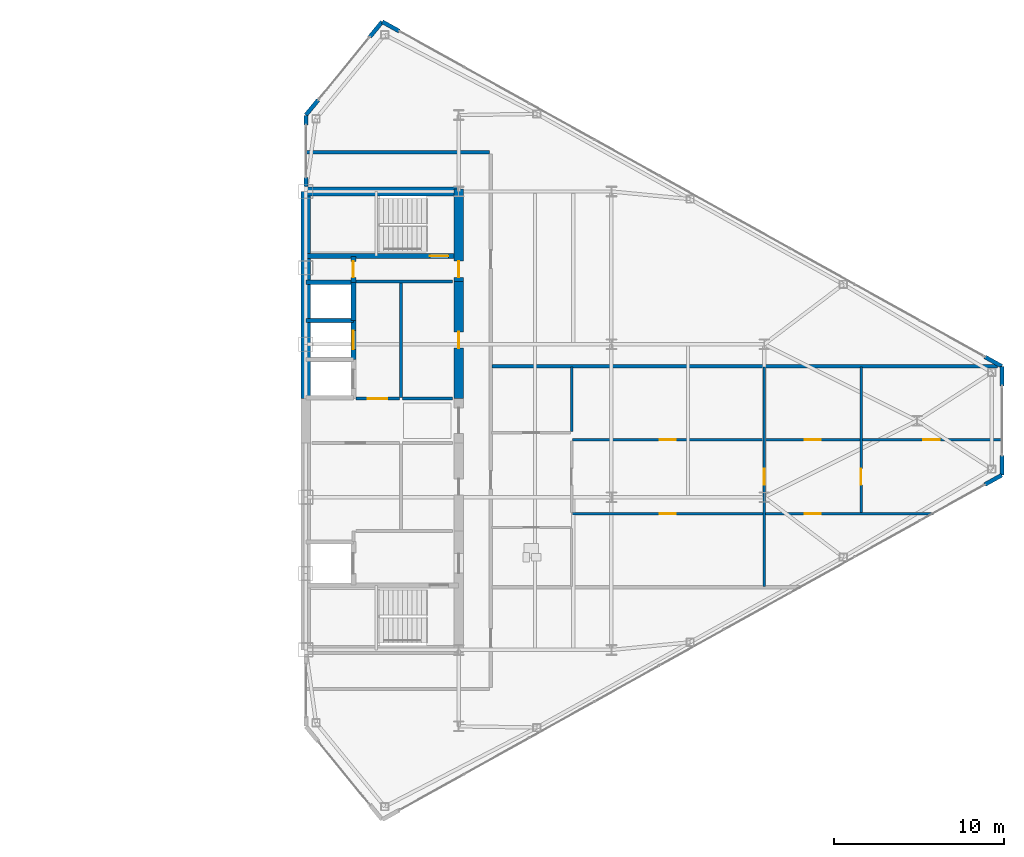
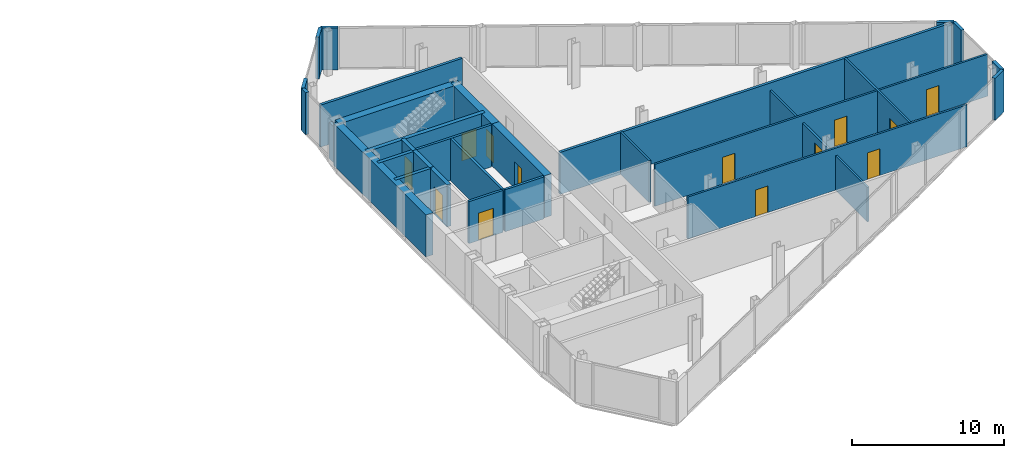
# One storey, part 22 of 25: 30 walls, 13 doors, 13 openings.
"""IFC4 building model written with IfcOpenShell, lengths in metres."""

import ifcopenshell
import ifcopenshell.guid

model = None  # the IFC model being written
_history = None  # IfcOwnerHistory: only IFC2X3 demands one
_inside = {}  # id of a spatial element -> (the spatial element, [elements in it])
_under = {}  # id of a project, library or spatial element -> (it, [spatial elements below it])
_declared = {}  # id of a project -> (the project, [libraries it declares])
_typed = {}  # id of a type object -> (the type object, [elements of that type])
_made_of = {}  # id of a material, layer set ... -> (it, [elements and type objects made of it])


def new_model(schema):
    """Start an empty IFC model of exactly this schema.

    Asked for "IFC4X3", IfcOpenShell would pick the latest addendum, in which some entities
    have other attributes; the version numbers below select the first issue.
    IFC2X3 requires an IfcOwnerHistory on every rooted entity: one is made here for all.
    """
    global model, _history
    if schema == "IFC4X3":
        model = ifcopenshell.file(schema_version=(4, 3, 0, 0))
    else:
        model = ifcopenshell.file(schema=schema)
    _inside.clear()
    _under.clear()
    _declared.clear()
    _typed.clear()
    _made_of.clear()
    _history = None
    if model.schema == "IFC2X3":
        org = make("IfcOrganization", Name="unknown")
        user = make(
            "IfcPersonAndOrganization",
            ThePerson=make("IfcPerson", FamilyName="unknown"),
            TheOrganization=org,
        )
        app = make(
            "IfcApplication",
            ApplicationDeveloper=org,
            Version="unknown",
            ApplicationFullName="unknown",
            ApplicationIdentifier="unknown",
        )
        _history = make(
            "IfcOwnerHistory",
            OwningUser=user,
            OwningApplication=app,
            ChangeAction="ADDED",
            CreationDate=0,
        )
    return model


def make(cls, **values):
    """One entity of the class cls with the attributes given. An attribute that is None is left unset."""
    return model.create_entity(
        cls, **{name: value for name, value in values.items() if value is not None}
    )


def rooted(cls, **values):
    """An entity with a GlobalId (a new one), such as an element, a storey or a relation."""
    return make(cls, GlobalId=ifcopenshell.guid.new(), OwnerHistory=_history, **values)


def si_unit(unit_type, name, prefix=None):
    """IfcSIUnit, for example si_unit("LENGTHUNIT", "METRE", prefix="MILLI")."""
    return make("IfcSIUnit", UnitType=unit_type, Prefix=prefix, Name=name)


def assignment(units):
    """IfcUnitAssignment: the units of a project."""
    return None if units is None else make("IfcUnitAssignment", Units=units)


def point(xyz):
    """IfcCartesianPoint."""
    return None if xyz is None else make("IfcCartesianPoint", Coordinates=xyz)


def direction(xyz):
    """IfcDirection."""
    return None if xyz is None else make("IfcDirection", DirectionRatios=xyz)


def frame(location, z_axis=None, x_axis=None):
    """IfcAxis2Placement3D, a coordinate frame: its origin and axes. An axis left out is left unset."""
    return make(
        "IfcAxis2Placement3D",
        Location=point(location),
        Axis=direction(z_axis),
        RefDirection=direction(x_axis),
    )


def frame_2d(location, x_axis=None):
    """IfcAxis2Placement2D, a coordinate frame in the plane: its origin and x axis."""
    return make(
        "IfcAxis2Placement2D", Location=point(location), RefDirection=direction(x_axis)
    )


def origin():
    """The frame at (0, 0, 0) with its axes left unset."""
    return frame((0.0, 0.0, 0.0))


def place(relative_to, where):
    """IfcLocalPlacement: puts the frame where relative to a parent placement (None: the world)."""
    return make(
        "IfcLocalPlacement", PlacementRelTo=relative_to, RelativePlacement=where
    )


def context(
    kind, dimensions, precision=None, world=None, true_north=None, identifier=None
):
    """IfcGeometricRepresentationContext, for example the 3D "Model" context."""
    return make(
        "IfcGeometricRepresentationContext",
        ContextIdentifier=identifier,
        ContextType=kind,
        CoordinateSpaceDimension=dimensions,
        Precision=precision,
        WorldCoordinateSystem=world,
        TrueNorth=true_north,
    )


def subcontext(parent, identifier, kind, view, scale=None):
    """IfcGeometricRepresentationSubContext, for example "Body" below "Model"."""
    return make(
        "IfcGeometricRepresentationSubContext",
        ContextIdentifier=identifier,
        ContextType=kind,
        ParentContext=parent,
        TargetScale=scale,
        TargetView=view,
    )


def project(units=None, contexts=None):
    """IfcProject with its units and contexts."""
    return rooted(
        "IfcProject",
        Name="project",
        RepresentationContexts=contexts,
        UnitsInContext=assignment(units),
    )


def spatial(cls, under=None, at=None, **own):
    """A site, building, storey or space (cls), placed at a placement, below another one or the project."""
    s = rooted(cls, ObjectPlacement=at, **own)
    if under is not None:
        _under.setdefault(under.id(), (under, []))[1].append(s)
    return s


def profile(cls, at=None, kind="AREA", **sizes):
    """A parametric profile (cls). Its sizes go by their IFC names, for example OverallWidth=200.0."""
    return make(cls, ProfileType=kind, Position=at, **sizes)


def rectangle(**sizes):
    """IfcRectangleProfileDef."""
    return profile("IfcRectangleProfileDef", **sizes)


def extrude(swept, where, along, depth):
    """IfcExtrudedAreaSolid: the profile swept, set in the frame where, extruded along a direction by depth."""
    return make(
        "IfcExtrudedAreaSolid",
        SweptArea=swept,
        Position=where,
        ExtrudedDirection=direction(along),
        Depth=depth,
    )


def shape(context_of_items, identifier, shape_type, items):
    """IfcShapeRepresentation: the items that make up one representation, for example the "Body"."""
    return make(
        "IfcShapeRepresentation",
        ContextOfItems=context_of_items,
        RepresentationIdentifier=identifier,
        RepresentationType=shape_type,
        Items=items,
    )


def source(mapping_origin, context_of_items, identifier, shape_type, items):
    """IfcRepresentationMap: a shape defined once, which mapped items show again and again."""
    return make(
        "IfcRepresentationMap",
        MappingOrigin=mapping_origin,
        MappedRepresentation=shape(context_of_items, identifier, shape_type, items),
    )


def transform(
    local_origin,
    x_axis=None,
    y_axis=None,
    z_axis=None,
    scale=None,
    scale2=None,
    scale3=None,
    uniform=True,
):
    """IfcCartesianTransformationOperator3D, or its non-uniform kind. x_axis, y_axis, z_axis: its Axis1, 2, 3."""
    if uniform:
        return make(
            "IfcCartesianTransformationOperator3D",
            Axis1=direction(x_axis),
            Axis2=direction(y_axis),
            LocalOrigin=point(local_origin),
            Scale=scale,
            Axis3=direction(z_axis),
        )
    return make(
        "IfcCartesianTransformationOperator3DnonUniform",
        Axis1=direction(x_axis),
        Axis2=direction(y_axis),
        LocalOrigin=point(local_origin),
        Scale=scale,
        Axis3=direction(z_axis),
        Scale2=scale2,
        Scale3=scale3,
    )


def mapped(mapping_source, mapping_target):
    """IfcMappedItem: shows the shape of a source again, moved by a transform."""
    return make(
        "IfcMappedItem", MappingSource=mapping_source, MappingTarget=mapping_target
    )


def material(Name=None, Category=None):
    """IfcMaterial."""
    return make("IfcMaterial", Name=Name, Category=Category)


def layer(
    of_material, thickness, ventilated=None, Name=None, Category=None, Priority=None
):
    """IfcMaterialLayer: one layer of a wall or slab, of a material (None: an air gap)."""
    return make(
        "IfcMaterialLayer",
        Material=of_material,
        LayerThickness=thickness,
        IsVentilated=ventilated,
        Name=Name,
        Category=Category,
        Priority=Priority,
    )


def layer_set(layers, Name=None):
    """IfcMaterialLayerSet."""
    return make("IfcMaterialLayerSet", MaterialLayers=layers, LayerSetName=Name)


def made_of(thing, what):
    """Note that an element or type object is made of a material, layer set ...; save() writes the relation."""
    if what is not None:
        _made_of.setdefault(what.id(), (what, []))[1].append(thing)
    return thing


def type_object(cls, material=None, **own):
    """A type object (cls), such as IfcWallType, which elements share."""
    return made_of(rooted(cls, **own), material)


def type_shapes(of_type, sources):
    """Give a type object the sources (RepresentationMaps) that its elements show as mapped items."""
    of_type.RepresentationMaps = sources


def element(
    cls,
    number,
    at=None,
    inside=None,
    cuts=None,
    type_object=None,
    material=None,
    context=None,
    identifier="Body",
    shape_type=None,
    held_by="IfcProductDefinitionShape",
    body=None,
    shapes=None,
    **own,
):
    """One element of the class cls, such as IfcWall. Its Tag is "e" and its number.

    at: its placement. inside: the storey or other place that contains it. cuts: it is an
    opening in that element (IfcRelVoidsElement). A single representation is given by context,
    identifier, shape_type and body (its items); several are given by shapes. held_by: the class
    of the entity that holds the representations. save() writes the other relations.
    """
    e = rooted(cls, Tag="e%d" % number, ObjectPlacement=at, **own)
    if body is not None:
        shapes = [shape(context, identifier, shape_type, body)]
    if shapes is not None:
        e.Representation = make(held_by, Representations=shapes)
    if inside is not None:
        _inside.setdefault(inside.id(), (inside, []))[1].append(e)
    if cuts is not None:
        rooted(
            "IfcRelVoidsElement", RelatingBuildingElement=cuts, RelatedOpeningElement=e
        )
    if type_object is not None:
        _typed.setdefault(type_object.id(), (type_object, []))[1].append(e)
    return made_of(e, material)


def fill(opening, filler):
    """IfcRelFillsElement: the door or window that sits in an opening."""
    return rooted(
        "IfcRelFillsElement",
        RelatingOpeningElement=opening,
        RelatedBuildingElement=filler,
    )


def aggregate(whole, parts):
    """IfcRelAggregates: a whole, such as a stair, and the parts it consists of."""
    return rooted("IfcRelAggregates", RelatingObject=whole, RelatedObjects=parts)


def save(model, path):
    """Write the relations noted so far, then the file.

    IfcRelAggregates (storeys below a building ...), IfcRelContainedInSpatialStructure (elements
    in a storey), IfcRelDefinesByType, IfcRelAssociatesMaterial and IfcRelDeclares: one each for
    every whole, place, type object, material and project.
    """
    for whole, parts in _under.values():
        aggregate(whole, parts)
    for where, things in _inside.values():
        rooted(
            "IfcRelContainedInSpatialStructure",
            RelatedElements=things,
            RelatingStructure=where,
        )
    for kind, things in _typed.values():
        rooted("IfcRelDefinesByType", RelatedObjects=things, RelatingType=kind)
    for what, things in _made_of.values():
        rooted("IfcRelAssociatesMaterial", RelatedObjects=things, RelatingMaterial=what)
    for by, libraries in _declared.values():
        rooted("IfcRelDeclares", RelatingContext=by, RelatedDefinitions=libraries)
    model.write(path)


model = new_model("IFC4")

# Units and contexts
model_context = context("Model", 3, precision=1e-05, world=origin(), true_north=direction((0.0, 1.0)))
body_context = subcontext(model_context, "Body", "Model", "MODEL_VIEW")
ifc_project = project(units=[si_unit("LENGTHUNIT", "METRE"), si_unit("AREAUNIT", "SQUARE_METRE"), si_unit("VOLUMEUNIT", "CUBIC_METRE"), si_unit("PLANEANGLEUNIT", "RADIAN"), si_unit("MASSUNIT", "GRAM", prefix="KILO")], contexts=[model_context])

# Site, building, storey
site_placement = place(None, origin())
site = spatial("IfcSite", under=ifc_project, at=site_placement, CompositionType="ELEMENT")
building_placement = place(site_placement, origin())
building = spatial("IfcBuilding", under=site, at=building_placement, Name="Seokmaru Belvedere", CompositionType="ELEMENT")
storey_placement = place(building_placement, frame((0.0, 0.0, 188.699951171875)))
storey = spatial("IfcBuildingStorey", under=building, at=storey_placement, Name="L50", CompositionType="ELEMENT", Elevation=188.699951171875)

# Wall, openings, doors
ifc_material_1 = material(Name="Fire-Rated Gypsum Shaftwall")
ifc_layer_1 = layer(ifc_material_1, 0.14990234375)
ifc_layer_set_1 = layer_set([ifc_layer_1], Name="Fire-Rated Gypsum Shaftwall")
wall_type_1 = type_object("IfcWallType", Name="Apartment Fire-Acoustic Room Partition 150", PredefinedType="PARTITIONING", material=ifc_layer_set_1)
wall_1_placement = place(storey_placement, frame((43.199951171875, -5.469970703125, 0.0), z_axis=(0.0, 0.0, 1.0), x_axis=(1.0, 0.0, 0.0)))
wall_1 = element("IfcWall", 1, at=wall_1_placement, inside=storey, type_object=wall_type_1, Name="L50 Interior Partition 006", PredefinedType="PARTITIONING", context=body_context, shape_type="SweptSolid", body=[
    extrude(rectangle(XDim=21.259033203125, YDim=0.14990234375, at=frame_2d((10.62939453125, 0.0))), origin(), (0.0, 0.0, 1.0), 3.380126953125),
])
opening_1_placement = place(wall_1_placement, frame((5.14990234375, 0.0, 0.0)))
opening_1 = element("IfcOpeningElement", 2, at=opening_1_placement, cuts=wall_1, Name="Opening D05", PredefinedType="OPENING", context=body_context, shape_type="SweptSolid", body=[
    extrude(rectangle(XDim=0.949951171875, YDim=2.14990234375, at=frame_2d((0.47509765625, 1.074951171875))), frame((0.0, 0.0849609375, 0.0), z_axis=(0.0, -1.0, 0.0), x_axis=(1.0, 0.0, 0.0)), (0.0, 0.0, 1.0), 0.169921875),
])
opening_2_placement = place(wall_1_placement, frame((13.675048828125, 0.0, 0.0)))
opening_2 = element("IfcOpeningElement", 3, at=opening_2_placement, cuts=wall_1, Name="Opening D05", PredefinedType="OPENING", context=body_context, shape_type="SweptSolid", body=[
    extrude(rectangle(XDim=0.949951171875, YDim=2.14990234375, at=frame_2d((0.47509765625, 1.074951171875))), frame((0.0, 0.0849609375, 0.0), z_axis=(0.0, -1.0, 0.0), x_axis=(1.0, 0.0, 0.0)), (0.0, 0.0, 1.0), 0.169921875),
])
ifc_material_2 = material(Name="Engineered White Oak Timber", Category="wood")
door_type_1 = type_object("IfcDoorType", Name="Apartment Interior Fire-Rated Oak Door 950x2150", OperationType="NOTDEFINED", PredefinedType="DOOR", material=ifc_material_2)
shared_shape_1 = source(origin(), body_context, "Body", "SweptSolid", [
    extrude(rectangle(XDim=0.949951171875, YDim=2.14990234375, at=frame_2d((0.47509765625, 1.074951171875))), frame((0.0, 0.02490234375, 0.0), z_axis=(0.0, -1.0, 0.0), x_axis=(1.0, 0.0, 0.0)), (0.0, 0.0, 1.0), 0.050048828125),
])
type_shapes(door_type_1, [shared_shape_1])
door_1_placement = place(opening_1_placement, origin())
door_1 = element("IfcDoor", 4, at=door_1_placement, inside=storey, type_object=door_type_1, Name="L50 Interior Door 019", OperationType="SINGLE_SWING_RIGHT", OverallHeight=2.14990234375, OverallWidth=0.949951171875, PredefinedType="DOOR", context=body_context, shape_type="MappedRepresentation", body=[
    mapped(shared_shape_1, transform((0.0, 0.0, 0.0), scale=1.0)),
])
fill(opening_1, door_1)
door_2_placement = place(opening_2_placement, origin())
door_2 = element("IfcDoor", 5, at=door_2_placement, inside=storey, type_object=door_type_1, Name="L50 Interior Door 021", OperationType="SINGLE_SWING_RIGHT", OverallHeight=2.14990234375, OverallWidth=0.949951171875, PredefinedType="DOOR", context=body_context, shape_type="MappedRepresentation", body=[
    mapped(shared_shape_1, transform((0.0, 0.0, 0.0), scale=1.0)),
])
fill(opening_2, door_2)

wall_2_placement = place(storey_placement, frame((43.199951171875, -1.1298828125, 0.0), z_axis=(0.0, 0.0, 1.0), x_axis=(1.0, 0.0, 0.0)))
wall_2 = element("IfcWall", 6, at=wall_2_placement, inside=storey, type_object=wall_type_1, Name="L50 Interior Partition 009", PredefinedType="PARTITIONING", context=body_context, shape_type="SweptSolid", body=[
    extrude(rectangle(XDim=25.3349609375, YDim=0.14990234375, at=frame_2d((12.66748046875, 0.0))), origin(), (0.0, 0.0, 1.0), 3.380126953125),
])
opening_3_placement = place(wall_2_placement, frame((5.14990234375, 0.0, 0.0)))
opening_3 = element("IfcOpeningElement", 7, at=opening_3_placement, cuts=wall_2, Name="Opening D05", PredefinedType="OPENING", context=body_context, shape_type="SweptSolid", body=[
    extrude(rectangle(XDim=0.949951171875, YDim=2.14990234375, at=frame_2d((0.47509765625, 1.074951171875))), frame((0.0, 0.0849609375, 0.0), z_axis=(0.0, -1.0, 0.0), x_axis=(1.0, 0.0, 0.0)), (0.0, 0.0, 1.0), 0.169921875),
])
opening_4_placement = place(wall_2_placement, frame((20.675048828125, 0.0, 0.0)))
opening_4 = element("IfcOpeningElement", 8, at=opening_4_placement, cuts=wall_2, Name="Opening D05", PredefinedType="OPENING", context=body_context, shape_type="SweptSolid", body=[
    extrude(rectangle(XDim=0.949951171875, YDim=2.14990234375, at=frame_2d((0.47509765625, 1.074951171875))), frame((0.0, 0.0849609375, 0.0), z_axis=(0.0, -1.0, 0.0), x_axis=(1.0, 0.0, 0.0)), (0.0, 0.0, 1.0), 0.169921875),
])
opening_5_placement = place(wall_2_placement, frame((13.675048828125, 0.0, 0.0)))
opening_5 = element("IfcOpeningElement", 9, at=opening_5_placement, cuts=wall_2, Name="Opening D05", PredefinedType="OPENING", context=body_context, shape_type="SweptSolid", body=[
    extrude(rectangle(XDim=0.949951171875, YDim=2.14990234375, at=frame_2d((0.47509765625, 1.074951171875))), frame((0.0, 0.0849609375, 0.0), z_axis=(0.0, -1.0, 0.0), x_axis=(1.0, 0.0, 0.0)), (0.0, 0.0, 1.0), 0.169921875),
])
door_3_placement = place(opening_3_placement, origin())
door_3 = element("IfcDoor", 10, at=door_3_placement, inside=storey, type_object=door_type_1, Name="L50 Interior Door 020", OperationType="SINGLE_SWING_LEFT", OverallHeight=2.14990234375, OverallWidth=0.949951171875, PredefinedType="DOOR", context=body_context, shape_type="MappedRepresentation", body=[
    mapped(shared_shape_1, transform((0.0, 0.0, 0.0), scale=1.0)),
])
fill(opening_3, door_3)
door_4_placement = place(opening_4_placement, origin())
door_4 = element("IfcDoor", 11, at=door_4_placement, inside=storey, type_object=door_type_1, Name="L50 Interior Door 023", OperationType="SINGLE_SWING_RIGHT", OverallHeight=2.14990234375, OverallWidth=0.949951171875, PredefinedType="DOOR", context=body_context, shape_type="MappedRepresentation", body=[
    mapped(shared_shape_1, transform((0.0, 0.0, 0.0), scale=1.0)),
])
fill(opening_4, door_4)
door_5_placement = place(opening_5_placement, origin())
door_5 = element("IfcDoor", 12, at=door_5_placement, inside=storey, type_object=door_type_1, Name="L50 Interior Door 024", OperationType="SINGLE_SWING_RIGHT", OverallHeight=2.14990234375, OverallWidth=0.949951171875, PredefinedType="DOOR", context=body_context, shape_type="MappedRepresentation", body=[
    mapped(shared_shape_1, transform((0.0, 0.0, 0.0), scale=1.0)),
])
fill(opening_5, door_5)

# Wall
wall_3_placement = place(storey_placement, frame((43.14990234375, -0.64794921875, 0.0), z_axis=(0.0, 0.0, 1.0), x_axis=(0.0, 1.0, 0.0)))
element("IfcWall", 13, at=wall_3_placement, inside=storey, type_object=wall_type_1, Name="L50 Interior Partition 025", PredefinedType="PARTITIONING", context=body_context, shape_type="SweptSolid", body=[
    extrude(rectangle(XDim=3.7978515625, YDim=0.14990234375, at=frame_2d((1.89892578125, 0.0))), origin(), (0.0, 0.0, 1.0), 3.380126953125),
])

# Wall, opening, door
wall_4_placement = place(storey_placement, frame((54.5, -9.75, 0.0), z_axis=(0.0, 0.0, 1.0), x_axis=(0.0, 1.0, 0.0)))
wall_4 = element("IfcWall", 14, at=wall_4_placement, inside=storey, type_object=wall_type_1, Name="L50 Interior Partition 026", PredefinedType="PARTITIONING", context=body_context, shape_type="SweptSolid", body=[
    extrude(rectangle(XDim=12.89990234375, YDim=0.14990234375, at=frame_2d((6.449951171875, 0.0))), origin(), (0.0, 0.0, 1.0), 2.780029296875),
])
opening_6_placement = place(wall_4_placement, frame((5.97509765625, 0.0, 0.0)))
opening_6 = element("IfcOpeningElement", 15, at=opening_6_placement, cuts=wall_4, Name="Opening D05", PredefinedType="OPENING", context=body_context, shape_type="SweptSolid", body=[
    extrude(rectangle(XDim=0.949951171875, YDim=2.14990234375, at=frame_2d((0.47509765625, 1.074951171875))), frame((0.0, 0.0849609375, 0.0), z_axis=(0.0, -1.0, 0.0), x_axis=(1.0, 0.0, 0.0)), (0.0, 0.0, 1.0), 0.169921875),
])
door_6_placement = place(opening_6_placement, origin())
door_6 = element("IfcDoor", 16, at=door_6_placement, inside=storey, type_object=door_type_1, Name="L50 Interior Door 018", OperationType="SINGLE_SWING_LEFT", OverallHeight=2.14990234375, OverallWidth=0.949951171875, PredefinedType="DOOR", context=body_context, shape_type="MappedRepresentation", body=[
    mapped(shared_shape_1, transform((0.0, 0.0, 0.0), scale=1.0)),
])
fill(opening_6, door_6)

wall_5_placement = place(storey_placement, frame((60.199951171875, -5.4169921875, 0.0), z_axis=(0.0, 0.0, 1.0), x_axis=(0.0, 1.0, 0.0)))
wall_5 = element("IfcWall", 17, at=wall_5_placement, inside=storey, type_object=wall_type_1, Name="L50 Interior Partition 027", PredefinedType="PARTITIONING", context=body_context, shape_type="SweptSolid", body=[
    extrude(rectangle(XDim=8.56689453125, YDim=0.14990234375, at=frame_2d((4.283447265625, 0.0))), origin(), (0.0, 0.0, 1.0), 3.380126953125),
])
opening_7_placement = place(wall_5_placement, frame((1.64208984375, 0.0, 0.0)))
opening_7 = element("IfcOpeningElement", 18, at=opening_7_placement, cuts=wall_5, Name="Opening D05", PredefinedType="OPENING", context=body_context, shape_type="SweptSolid", body=[
    extrude(rectangle(XDim=0.949951171875, YDim=2.14990234375, at=frame_2d((0.47509765625, 1.074951171875))), frame((0.0, 0.0849609375, 0.0), z_axis=(0.0, -1.0, 0.0), x_axis=(1.0, 0.0, 0.0)), (0.0, 0.0, 1.0), 0.169921875),
])
door_7_placement = place(opening_7_placement, origin())
door_7 = element("IfcDoor", 19, at=door_7_placement, inside=storey, type_object=door_type_1, Name="L50 Interior Door 022", OperationType="SINGLE_SWING_LEFT", OverallHeight=2.14990234375, OverallWidth=0.949951171875, PredefinedType="DOOR", context=body_context, shape_type="MappedRepresentation", body=[
    mapped(shared_shape_1, transform((0.0, 0.0, 0.0), scale=1.0)),
])
fill(opening_7, door_7)

# Walls
ifc_layer_2 = layer(ifc_material_1, 0.179931640625)
ifc_layer_set_2 = layer_set([ifc_layer_2], Name="Fire-Rated Gypsum Shaftwall")
wall_type_2 = type_object("IfcWallType", Name="Core Service Fire Partition 180", PredefinedType="PARTITIONING", material=ifc_layer_set_2)
wall_6_placement = place(storey_placement, frame((30.449951171875, 8.199951171875, 0.0), z_axis=(0.0, 0.0, 1.0), x_axis=(1.0, 0.0, 0.0)))
element("IfcWall", 20, at=wall_6_placement, inside=storey, type_object=wall_type_2, Name="L50 East Smokeproof Vestibule Partition", PredefinedType="PARTITIONING", context=body_context, shape_type="SweptSolid", body=[
    extrude(rectangle(XDim=5.699951171875, YDim=0.179931640625, at=frame_2d((2.85009765625, 0.0))), origin(), (0.0, 0.0, 1.0), 3.380126953125),
])
wall_7_placement = place(storey_placement, frame((33.10009765625, 1.3798828125, 0.0), z_axis=(0.0, 0.0, 1.0), x_axis=(0.0, 1.0, 0.0)))
element("IfcWall", 21, at=wall_7_placement, inside=storey, type_object=wall_type_2, Name="L50 East North Core Service Back Wall", PredefinedType="PARTITIONING", context=body_context, shape_type="SweptSolid", body=[
    extrude(rectangle(XDim=6.740234375, YDim=0.179931640625, at=frame_2d((3.3701171875, 0.0))), origin(), (0.0, 0.0, 1.0), 3.380126953125),
])

# Wall, opening, door
wall_8_placement = place(storey_placement, frame((30.449951171875, 1.300048828125, 0.0), z_axis=(0.0, 0.0, 1.0), x_axis=(1.0, 0.0, 0.0)))
wall_8 = element("IfcWall", 22, at=wall_8_placement, inside=storey, type_object=wall_type_2, Name="L50 East North Lift Lobby Foyer Wall", PredefinedType="PARTITIONING", context=body_context, shape_type="SweptSolid", body=[
    extrude(rectangle(XDim=2.570068359375, YDim=0.179931640625, at=frame_2d((1.28515625, 0.0))), origin(), (0.0, 0.0, 1.0), 3.380126953125),
])
opening_8_placement = place(wall_8_placement, frame((0.7099609375, 0.0, 0.0)))
opening_8 = element("IfcOpeningElement", 23, at=opening_8_placement, cuts=wall_8, Name="Opening D02", PredefinedType="OPENING", context=body_context, shape_type="SweptSolid", body=[
    extrude(rectangle(XDim=1.14990234375, YDim=2.199951171875, at=frame_2d((0.574951171875, 1.10009765625))), frame((0.0, 0.10009765625, 0.0), z_axis=(0.0, -1.0, 0.0), x_axis=(1.0, 0.0, 0.0)), (0.0, 0.0, 1.0), 0.199951171875),
])
ifc_material_3 = material(Name="Fire-Rated Steel Leaf", Category="steel")
door_type_2 = type_object("IfcDoorType", Name="Lobby and Vestibule Fire Door 1150x2200", OperationType="NOTDEFINED", PredefinedType="DOOR", material=ifc_material_3)
shared_shape_2 = source(origin(), body_context, "Body", "SweptSolid", [
    extrude(rectangle(XDim=1.14990234375, YDim=2.199951171875, at=frame_2d((0.574951171875, 1.10009765625))), frame((0.0, 0.02490234375, 0.0), z_axis=(0.0, -1.0, 0.0), x_axis=(1.0, 0.0, 0.0)), (0.0, 0.0, 1.0), 0.050048828125),
])
type_shapes(door_type_2, [shared_shape_2])
door_8_placement = place(opening_8_placement, origin())
door_8 = element("IfcDoor", 24, at=door_8_placement, inside=storey, type_object=door_type_2, Name="L50 East North Lift Lobby Door", OperationType="SINGLE_SWING_LEFT", OverallHeight=2.199951171875, OverallWidth=1.14990234375, PredefinedType="DOOR", context=body_context, shape_type="MappedRepresentation", body=[
    mapped(shared_shape_2, transform((0.0, 0.0, 0.0), scale=1.0)),
])
fill(opening_8, door_8)

# Walls
wall_9_placement = place(storey_placement, frame((33.199951171875, 1.300048828125, 0.0), z_axis=(0.0, 0.0, 1.0), x_axis=(1.0, 0.0, 0.0)))
element("IfcWall", 25, at=wall_9_placement, inside=storey, type_object=wall_type_2, Name="L50 East Foyer Side Wall N", PredefinedType="PARTITIONING", context=body_context, shape_type="SweptSolid", body=[
    extrude(rectangle(XDim=2.949951171875, YDim=0.179931640625, at=frame_2d((1.47509765625, 0.0))), origin(), (0.0, 0.0, 1.0), 3.380126953125),
])
ifc_material_4 = material(Name="Concrete C50 (50 MPa)", Category="concrete")
ifc_layer_3 = layer(ifc_material_4, 0.25)
ifc_layer_set_3 = layer_set([ifc_layer_3], Name="Concrete C50 (50 MPa)")
wall_type_3 = type_object("IfcWallType", Name="Hoistway Transverse Concrete Divider Wall 250", PredefinedType="SHEAR", material=ifc_layer_set_3)
for number, where, z_axis, x_axis, name in (
    (26, (27.5, 5.89990234375, 0.0), (0.0, 0.0, 1.0), (1.0, 0.0, 0.0), "L50 East Hoistway Divider Core Wall 4"),
    (27, (27.5, 8.14990234375, 0.0), (0.0, 0.0, 1.0), (1.0, 0.0, 0.0), "L50 East Hoistway Divider Core Wall 5"),
):
    element("IfcWall", number, at=place(storey_placement, frame(where, z_axis=z_axis, x_axis=x_axis)), inside=storey, type_object=wall_type_3, Name=name, PredefinedType="SHEAR", context=body_context, shape_type="SweptSolid", body=[
        extrude(rectangle(XDim=2.800048828125, YDim=0.25, at=frame_2d((1.39990234375, 0.0))), origin(), (0.0, 0.0, 1.0), 3.380126953125),
    ])
ifc_layer_4 = layer(ifc_material_1, 0.199951171875)
ifc_layer_set_4 = layer_set([ifc_layer_4], Name="Fire-Rated Gypsum Shaftwall")
wall_type_4 = type_object("IfcWallType", Name="Inter-Tenancy Fire Compartment Partition 200", PredefinedType="PARTITIONING", material=ifc_layer_set_4)
wall_10_placement = place(storey_placement, frame((38.47998046875, 3.199951171875, 0.0), z_axis=(0.0, 0.0, 1.0), x_axis=(1.0, 0.0, 0.0)))
element("IfcWall", 28, at=wall_10_placement, inside=storey, type_object=wall_type_4, Name="L50 Interior Partition 013", PredefinedType="PARTITIONING", context=body_context, shape_type="SweptSolid", body=[
    extrude(rectangle(XDim=29.762939453125, YDim=0.199951171875, at=frame_2d((14.88134765625, 0.0))), origin(), (0.0, 0.0, 1.0), 3.380126953125),
])
wall_11_placement = place(storey_placement, frame((27.5, 15.800048828125, 0.0), z_axis=(0.0, 0.0, 1.0), x_axis=(1.0, 0.0, 0.0)))
element("IfcWall", 29, at=wall_11_placement, inside=storey, type_object=wall_type_4, Name="L50 Interior Partition 016", PredefinedType="PARTITIONING", context=body_context, shape_type="SweptSolid", body=[
    extrude(rectangle(XDim=10.81494140625, YDim=0.199951171875, at=frame_2d((5.407470703125, 0.0))), origin(), (0.0, 0.0, 1.0), 3.380126953125),
])

# Wall, opening, door
ifc_layer_5 = layer(ifc_material_4, 0.300048828125)
ifc_layer_set_5 = layer_set([ifc_layer_5], Name="Concrete C50 (50 MPa)")
wall_type_5 = type_object("IfcWallType", Name="Internal Core Stair and Hoistway Wall 300", PredefinedType="SHEAR", material=ifc_layer_set_5)
wall_12_placement = place(storey_placement, frame((27.5, 9.699951171875, 0.0), z_axis=(0.0, 0.0, 1.0), x_axis=(1.0, 0.0, 0.0)))
wall_12 = element("IfcWall", 30, at=wall_12_placement, inside=storey, type_object=wall_type_5, Name="L50 East Stair ST-2 Enclosure Wall", PredefinedType="SHEAR", context=body_context, shape_type="SweptSolid", body=[
    extrude(rectangle(XDim=9.0, YDim=0.300048828125, at=frame_2d((4.5, 0.0))), origin(), (0.0, 0.0, 1.0), 3.380126953125),
])
opening_9_placement = place(wall_12_placement, frame((7.300048828125, 0.0, 0.0)))
opening_9 = element("IfcOpeningElement", 31, at=opening_9_placement, cuts=wall_12, Name="Opening D01", PredefinedType="OPENING", context=body_context, shape_type="SweptSolid", body=[
    extrude(rectangle(XDim=1.10009765625, YDim=2.199951171875, at=frame_2d((0.550048828125, 1.10009765625))), frame((0.0, 0.16015625, 0.0), z_axis=(0.0, -1.0, 0.0), x_axis=(1.0, 0.0, 0.0)), (0.0, 0.0, 1.0), 0.320068359375),
])
door_type_3 = type_object("IfcDoorType", Name="Special Escape Stair Smokeproof Fire Door 1100x2200", OperationType="NOTDEFINED", PredefinedType="DOOR", material=ifc_material_3)
shared_shape_3 = source(origin(), body_context, "Body", "SweptSolid", [
    extrude(rectangle(XDim=1.10009765625, YDim=2.199951171875, at=frame_2d((0.550048828125, 1.10009765625))), frame((0.0, 0.02490234375, 0.0), z_axis=(0.0, -1.0, 0.0), x_axis=(1.0, 0.0, 0.0)), (0.0, 0.0, 1.0), 0.050048828125),
])
type_shapes(door_type_3, [shared_shape_3])
door_9_placement = place(opening_9_placement, origin())
door_9 = element("IfcDoor", 32, at=door_9_placement, inside=storey, type_object=door_type_3, Name="L50 East Special Escape Stair ST-2 Door", OperationType="SINGLE_SWING_LEFT", OverallHeight=2.199951171875, OverallWidth=1.10009765625, PredefinedType="DOOR", context=body_context, shape_type="MappedRepresentation", body=[
    mapped(shared_shape_3, transform((0.0, 0.0, 0.0), scale=1.0)),
])
fill(opening_9, door_9)

wall_13_placement = place(storey_placement, frame((30.300048828125, 3.60009765625, 0.0), z_axis=(0.0, 0.0, 1.0), x_axis=(0.0, 1.0, 0.0)))
wall_13 = element("IfcWall", 33, at=wall_13_placement, inside=storey, type_object=wall_type_5, Name="L50 East North Hoistway Wall PH2", PredefinedType="SHEAR", context=body_context, shape_type="SweptSolid", body=[
    extrude(rectangle(XDim=2.2998046875, YDim=0.300048828125, at=frame_2d((1.14990234375, 0.0))), origin(), (0.0, 0.0, 1.0), 3.380126953125),
])
opening_10_placement = place(wall_13_placement, frame((0.60009765625, 0.0, 0.0)))
opening_10 = element("IfcOpeningElement", 34, at=opening_10_placement, cuts=wall_13, Name="Opening LD1", PredefinedType="OPENING", context=body_context, shape_type="SweptSolid", body=[
    extrude(rectangle(XDim=1.10009765625, YDim=2.199951171875, at=frame_2d((0.550048828125, 1.10009765625))), frame((0.0, 0.16015625, 0.0), z_axis=(0.0, -1.0, 0.0), x_axis=(1.0, 0.0, 0.0)), (0.0, 0.0, 1.0), 0.320068359375),
])
ifc_material_5 = material(Name="Stainless Steel 316", Category="steel")
door_type_4 = type_object("IfcDoorType", Name="Passenger Lift Sliding Landing Door 1100x2200", OperationType="DOUBLE_DOOR_SLIDING", PredefinedType="DOOR", material=ifc_material_5)
shared_shape_4 = source(origin(), body_context, "Body", "SweptSolid", [
    extrude(rectangle(XDim=1.10009765625, YDim=2.199951171875, at=frame_2d((0.550048828125, 1.10009765625))), frame((0.0, 0.02490234375, 0.0), z_axis=(0.0, -1.0, 0.0), x_axis=(1.0, 0.0, 0.0)), (0.0, 0.0, 1.0), 0.050048828125),
])
type_shapes(door_type_4, [shared_shape_4])
door_10_placement = place(opening_10_placement, origin())
door_10 = element("IfcDoor", 35, at=door_10_placement, inside=storey, type_object=door_type_4, Name="L50 East High-Rise Lift PH-2 Landing Door", OperationType="DOUBLE_DOOR_SLIDING", OverallHeight=2.199951171875, OverallWidth=1.10009765625, PredefinedType="DOOR", context=body_context, shape_type="MappedRepresentation", body=[
    mapped(shared_shape_4, transform((0.0, 0.0, 0.0), scale=1.0)),
])
fill(opening_10, door_10)

# Wall
wall_14_placement = place(storey_placement, frame((30.300048828125, 5.89990234375, 0.0), z_axis=(0.0, 0.0, 1.0), x_axis=(0.0, 1.0, 0.0)))
element("IfcWall", 36, at=wall_14_placement, inside=storey, type_object=wall_type_5, Name="L50 East North Hoistway Wall OBS", PredefinedType="SHEAR", context=body_context, shape_type="SweptSolid", body=[
    extrude(rectangle(XDim=2.25, YDim=0.300048828125, at=frame_2d((1.125, 0.0))), origin(), (0.0, 0.0, 1.0), 3.380126953125),
])

# Wall, opening, door
wall_15_placement = place(storey_placement, frame((30.300048828125, 8.14990234375, 0.0), z_axis=(0.0, 0.0, 1.0), x_axis=(0.0, 1.0, 0.0)))
wall_15 = element("IfcWall", 37, at=wall_15_placement, inside=storey, type_object=wall_type_5, Name="L50 East Electrical Riser Front Wall", PredefinedType="SHEAR", context=body_context, shape_type="SweptSolid", body=[
    extrude(rectangle(XDim=1.530029296875, YDim=0.300048828125, at=frame_2d((0.76513671875, 0.0))), origin(), (0.0, 0.0, 1.0), 3.380126953125),
])
opening_11_placement = place(wall_15_placement, frame((0.284912109375, 0.0, 0.0)))
opening_11 = element("IfcOpeningElement", 38, at=opening_11_placement, cuts=wall_15, Name="Opening D04", PredefinedType="OPENING", context=body_context, shape_type="SweptSolid", body=[
    extrude(rectangle(XDim=0.949951171875, YDim=2.14990234375, at=frame_2d((0.47509765625, 1.074951171875))), frame((0.0, 0.16015625, 0.0), z_axis=(0.0, -1.0, 0.0), x_axis=(1.0, 0.0, 0.0)), (0.0, 0.0, 1.0), 0.320068359375),
])
door_type_5 = type_object("IfcDoorType", Name="Core Service Room Fire Door 950x2150", OperationType="NOTDEFINED", PredefinedType="DOOR", material=ifc_material_3)
shared_shape_5 = source(origin(), body_context, "Body", "SweptSolid", [
    extrude(rectangle(XDim=0.949951171875, YDim=2.14990234375, at=frame_2d((0.47509765625, 1.074951171875))), frame((0.0, 0.02490234375, 0.0), z_axis=(0.0, -1.0, 0.0), x_axis=(1.0, 0.0, 0.0)), (0.0, 0.0, 1.0), 0.050048828125),
])
type_shapes(door_type_5, [shared_shape_5])
door_11_placement = place(opening_11_placement, origin())
door_11 = element("IfcDoor", 39, at=door_11_placement, inside=storey, type_object=door_type_5, Name="L50 East Electrical Riser Access Door", OperationType="SINGLE_SWING_RIGHT", OverallHeight=2.14990234375, OverallWidth=0.949951171875, PredefinedType="DOOR", context=body_context, shape_type="MappedRepresentation", body=[
    mapped(shared_shape_5, transform((0.0, 0.0, 0.0), scale=1.0)),
])
fill(opening_11, door_11)

# Walls
ifc_layer_6 = layer(ifc_material_4, 0.550048828125)
ifc_layer_set_6 = layer_set([ifc_layer_6], Name="Concrete C50 (50 MPa)")
wall_type_6 = type_object("IfcWallType", Name="Mid-High Reinforced Concrete Core Wall 550", PredefinedType="SHEAR", material=ifc_layer_set_6)
wall_16_placement = place(storey_placement, frame((27.5, 1.300048828125, 0.0), z_axis=(0.0, 0.0, 1.0), x_axis=(0.0, 1.0, 0.0)))
element("IfcWall", 40, at=wall_16_placement, inside=storey, type_object=wall_type_6, Name="L50 East Portal Spine Core Wall North", PredefinedType="SHEAR", context=body_context, shape_type="SweptSolid", body=[
    extrude(rectangle(XDim=12.199951171875, YDim=0.550048828125, at=frame_2d((6.10009765625, 0.0))), origin(), (0.0, 0.0, 1.0), 3.380126953125),
])
wall_17_placement = place(storey_placement, frame((27.5, 13.5, 0.0), z_axis=(0.0, 0.0, 1.0), x_axis=(1.0, 0.0, 0.0)))
element("IfcWall", 41, at=wall_17_placement, inside=storey, type_object=wall_type_6, Name="L50 East North Core Wall", PredefinedType="SHEAR", context=body_context, shape_type="SweptSolid", body=[
    extrude(rectangle(XDim=9.0, YDim=0.550048828125, at=frame_2d((4.5, 0.0))), origin(), (0.0, 0.0, 1.0), 3.380126953125),
])

# Wall, opening, door
wall_18_placement = place(storey_placement, frame((36.5, 8.199951171875, 0.0), z_axis=(0.0, 0.0, 1.0), x_axis=(0.0, 1.0, 0.0)))
wall_18 = element("IfcWall", 42, at=wall_18_placement, inside=storey, type_object=wall_type_6, Name="L50 East West Core Wall VST", PredefinedType="SHEAR", context=body_context, shape_type="SweptSolid", body=[
    extrude(rectangle(XDim=5.449951171875, YDim=0.550048828125, at=frame_2d((2.72509765625, 0.0))), origin(), (0.0, 0.0, 1.0), 3.380126953125),
])
opening_12_placement = place(wall_18_placement, frame((0.2451171875, 0.0, 0.0)))
opening_12 = element("IfcOpeningElement", 43, at=opening_12_placement, cuts=wall_18, Name="Opening D04", PredefinedType="OPENING", context=body_context, shape_type="SweptSolid", body=[
    extrude(rectangle(XDim=0.949951171875, YDim=2.14990234375, at=frame_2d((0.47509765625, 1.074951171875))), frame((0.0, 0.28515625, 0.0), z_axis=(0.0, -1.0, 0.0), x_axis=(1.0, 0.0, 0.0)), (0.0, 0.0, 1.0), 0.570068359375),
])
door_12_placement = place(opening_12_placement, origin())
door_12 = element("IfcDoor", 44, at=door_12_placement, inside=storey, type_object=door_type_5, Name="L50 East Smokeproof Vestibule Door", OperationType="SINGLE_SWING_LEFT", OverallHeight=2.14990234375, OverallWidth=0.949951171875, PredefinedType="DOOR", context=body_context, shape_type="MappedRepresentation", body=[
    mapped(shared_shape_5, transform((0.0, 0.0, 0.0), scale=1.0)),
])
fill(opening_12, door_12)

wall_19_placement = place(storey_placement, frame((36.5, 1.300048828125, 0.0), z_axis=(0.0, 0.0, 1.0), x_axis=(0.0, 1.0, 0.0)))
wall_19 = element("IfcWall", 45, at=wall_19_placement, inside=storey, type_object=wall_type_6, Name="L50 East West Core Wall CS2", PredefinedType="SHEAR", context=body_context, shape_type="SweptSolid", body=[
    extrude(rectangle(XDim=6.89990234375, YDim=0.550048828125, at=frame_2d((3.449951171875, 0.0))), origin(), (0.0, 0.0, 1.0), 3.380126953125),
])
opening_13_placement = place(wall_19_placement, frame((2.97509765625, 0.0, 0.0)))
opening_13 = element("IfcOpeningElement", 46, at=opening_13_placement, cuts=wall_19, Name="Opening D04", PredefinedType="OPENING", context=body_context, shape_type="SweptSolid", body=[
    extrude(rectangle(XDim=0.949951171875, YDim=2.14990234375, at=frame_2d((0.47509765625, 1.074951171875))), frame((0.0, 0.28515625, 0.0), z_axis=(0.0, -1.0, 0.0), x_axis=(1.0, 0.0, 0.0)), (0.0, 0.0, 1.0), 0.570068359375),
])
door_13_placement = place(opening_13_placement, origin())
door_13 = element("IfcDoor", 47, at=door_13_placement, inside=storey, type_object=door_type_5, Name="L50 East Core Service Room Door 2", OperationType="SINGLE_SWING_LEFT", OverallHeight=2.14990234375, OverallWidth=0.949951171875, PredefinedType="DOOR", context=body_context, shape_type="MappedRepresentation", body=[
    mapped(shared_shape_5, transform((0.0, 0.0, 0.0), scale=1.0)),
])
fill(opening_13, door_13)

# Walls
ifc_material_6 = material(Name="Anodised Bronze Aluminium", Category="aluminium")
ifc_layer_7 = layer(ifc_material_6, 0.239990234375)
ifc_layer_set_7 = layer_set([ifc_layer_7], Name="Anodised Bronze Aluminium")
wall_type_7 = type_object("IfcWallType", Name="Tower Corner Spandrel Closure Wall 240", PredefinedType="SOLIDWALL", material=ifc_layer_set_7)
for number, where, z_axis, x_axis, name in (
    (48, (67.4951171875, -3.759033203125, 0.0), (0.0, 0.0, 1.0), (0.87385402111, 0.486188389196, 0.0), "L50 E Corner Closure Pier 1B"),
    (49, (68.5, -3.18994140625, 0.0), (0.0, 0.0, 1.0), (0.0, 1.0, 0.0), "L50 E Corner Closure Pier 2A"),
    (50, (68.5, 2.050048828125, 0.0), (0.0, 0.0, 1.0), (0.0, 1.0, 0.0), "L50 E Corner Closure Pier 2B"),
    (51, (68.4912109375, 3.204833984375, 0.0), (0.0, 0.0, 1.0), (-0.87385402111, 0.486188389196, 0.0), "L50 E Corner Closure Pier 3A"),
    (52, (33.0048828125, 22.94091796875, 0.0), (0.0, 0.0, 1.0), (-0.87385402111, 0.486188389196, 0.0), "L50 E Corner Closure Pier 3B"),
):
    element("IfcWall", number, at=place(storey_placement, frame(where, z_axis=z_axis, x_axis=x_axis)), inside=storey, type_object=wall_type_7, Name=name, PredefinedType="SOLIDWALL", context=body_context, shape_type="SweptSolid", body=[
        extrude(rectangle(XDim=1.139892578125, YDim=0.239990234375, at=frame_2d((0.56982421875, 0.0))), origin(), (0.0, 0.0, 1.0), 3.380126953125),
    ])
for number, where, z_axis, x_axis, name in (
    (53, (31.99365234375, 23.4921875, 0.0), (0.0, 0.0, 1.0), (-0.633249451965, -0.77394775766, 0.0), "L50 E Corner Closure Pier 4A"),
    (54, (28.228271484375, 18.89013671875, 0.0), (0.0, 0.0, 1.0), (-0.633249451965, -0.77394775766, 0.0), "L50 E Corner Closure Pier 4B"),
):
    element("IfcWall", number, at=place(storey_placement, frame(where, z_axis=z_axis, x_axis=x_axis)), inside=storey, type_object=wall_type_7, Name=name, PredefinedType="SOLIDWALL", context=body_context, shape_type="SweptSolid", body=[
        extrude(rectangle(XDim=1.14013671875, YDim=0.239990234375, at=frame_2d((0.570068359375, 0.0))), origin(), (0.0, 0.0, 1.0), 3.380126953125),
    ])
wall_20_placement = place(storey_placement, frame((27.5, 13.780029296875, 0.0), z_axis=(0.0, 0.0, 1.0), x_axis=(0.0, 1.0, 0.0)))
element("IfcWall", 55, at=wall_20_placement, inside=storey, type_object=wall_type_7, Name="L50 E Spine Closure Pier 2A", PredefinedType="SOLIDWALL", context=body_context, shape_type="SweptSolid", body=[
    extrude(rectangle(XDim=0.550048828125, YDim=0.239990234375, at=frame_2d((0.27490234375, 0.0))), origin(), (0.0, 0.0, 1.0), 2.880126953125),
])
wall_21_placement = place(storey_placement, frame((27.5, 17.429931640625, 0.0), z_axis=(0.0, 0.0, 1.0), x_axis=(0.0, 1.0, 0.0)))
element("IfcWall", 56, at=wall_21_placement, inside=storey, type_object=wall_type_7, Name="L50 E Spine Closure Pier 2B", PredefinedType="SOLIDWALL", context=body_context, shape_type="SweptSolid", body=[
    extrude(rectangle(XDim=0.550048828125, YDim=0.239990234375, at=frame_2d((0.27490234375, 0.0))), origin(), (0.0, 0.0, 1.0), 3.380126953125),
])

save(model, "model.ifc")
